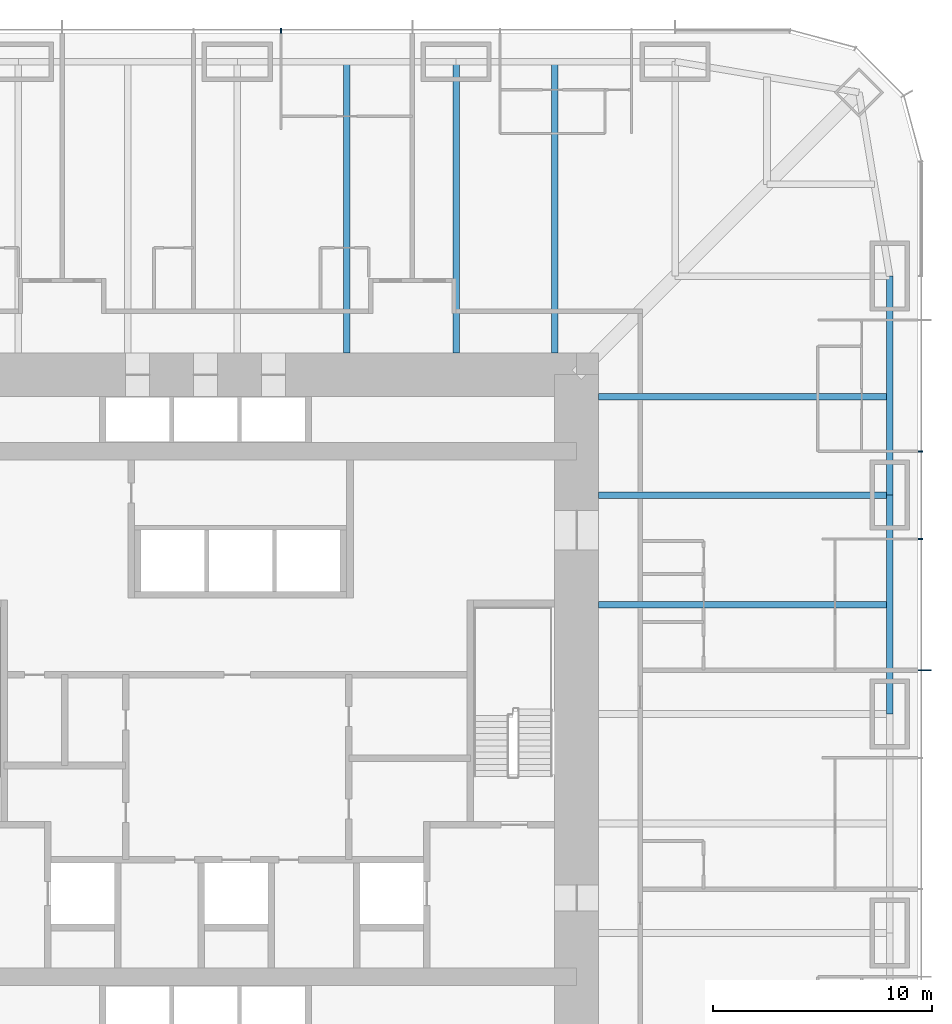
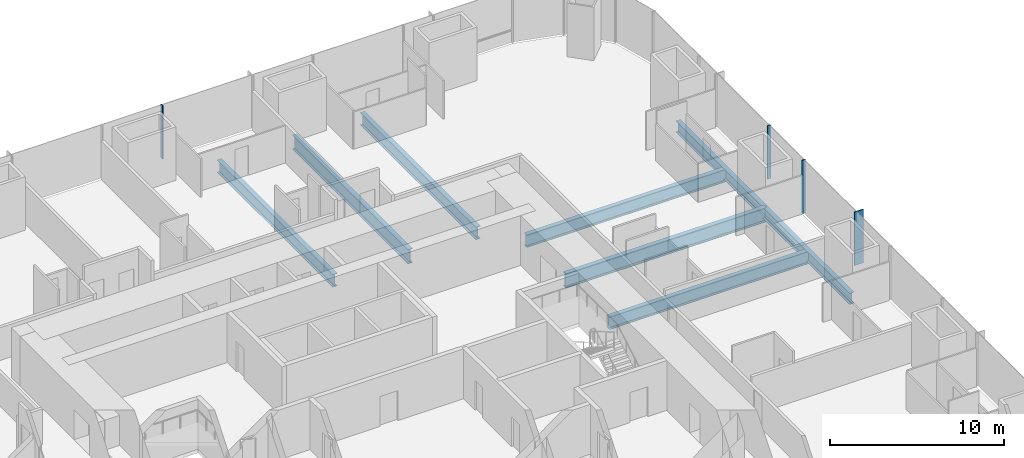
# One storey, part 8 of 17: 8 beams, 4 members, 2 elements without a shape of their own.
"""IFC4 building model written with IfcOpenShell, lengths in metres."""

import ifcopenshell
import ifcopenshell.guid

model = None  # the IFC model being written
_history = None  # IfcOwnerHistory: only IFC2X3 demands one
_inside = {}  # id of a spatial element -> (the spatial element, [elements in it])
_under = {}  # id of a project, library or spatial element -> (it, [spatial elements below it])
_declared = {}  # id of a project -> (the project, [libraries it declares])
_typed = {}  # id of a type object -> (the type object, [elements of that type])
_made_of = {}  # id of a material, layer set ... -> (it, [elements and type objects made of it])


def new_model(schema):
    """Start an empty IFC model of exactly this schema.

    Asked for "IFC4X3", IfcOpenShell would pick the latest addendum, in which some entities
    have other attributes; the version numbers below select the first issue.
    IFC2X3 requires an IfcOwnerHistory on every rooted entity: one is made here for all.
    """
    global model, _history
    if schema == "IFC4X3":
        model = ifcopenshell.file(schema_version=(4, 3, 0, 0))
    else:
        model = ifcopenshell.file(schema=schema)
    _inside.clear()
    _under.clear()
    _declared.clear()
    _typed.clear()
    _made_of.clear()
    _history = None
    if model.schema == "IFC2X3":
        org = make("IfcOrganization", Name="unknown")
        user = make(
            "IfcPersonAndOrganization",
            ThePerson=make("IfcPerson", FamilyName="unknown"),
            TheOrganization=org,
        )
        app = make(
            "IfcApplication",
            ApplicationDeveloper=org,
            Version="unknown",
            ApplicationFullName="unknown",
            ApplicationIdentifier="unknown",
        )
        _history = make(
            "IfcOwnerHistory",
            OwningUser=user,
            OwningApplication=app,
            ChangeAction="ADDED",
            CreationDate=0,
        )
    return model


def make(cls, **values):
    """One entity of the class cls with the attributes given. An attribute that is None is left unset."""
    return model.create_entity(
        cls, **{name: value for name, value in values.items() if value is not None}
    )


def rooted(cls, **values):
    """An entity with a GlobalId (a new one), such as an element, a storey or a relation."""
    return make(cls, GlobalId=ifcopenshell.guid.new(), OwnerHistory=_history, **values)


def si_unit(unit_type, name, prefix=None):
    """IfcSIUnit, for example si_unit("LENGTHUNIT", "METRE", prefix="MILLI")."""
    return make("IfcSIUnit", UnitType=unit_type, Prefix=prefix, Name=name)


def assignment(units):
    """IfcUnitAssignment: the units of a project."""
    return None if units is None else make("IfcUnitAssignment", Units=units)


def point(xyz):
    """IfcCartesianPoint."""
    return None if xyz is None else make("IfcCartesianPoint", Coordinates=xyz)


def direction(xyz):
    """IfcDirection."""
    return None if xyz is None else make("IfcDirection", DirectionRatios=xyz)


def frame(location, z_axis=None, x_axis=None):
    """IfcAxis2Placement3D, a coordinate frame: its origin and axes. An axis left out is left unset."""
    return make(
        "IfcAxis2Placement3D",
        Location=point(location),
        Axis=direction(z_axis),
        RefDirection=direction(x_axis),
    )


def frame_2d(location, x_axis=None):
    """IfcAxis2Placement2D, a coordinate frame in the plane: its origin and x axis."""
    return make(
        "IfcAxis2Placement2D", Location=point(location), RefDirection=direction(x_axis)
    )


def origin():
    """The frame at (0, 0, 0) with its axes left unset."""
    return frame((0.0, 0.0, 0.0))


def origin_2d():
    """The frame at (0, 0) in the plane with its x axis left unset."""
    return frame_2d((0.0, 0.0))


def place(relative_to, where):
    """IfcLocalPlacement: puts the frame where relative to a parent placement (None: the world)."""
    return make(
        "IfcLocalPlacement", PlacementRelTo=relative_to, RelativePlacement=where
    )


def context(
    kind, dimensions, precision=None, world=None, true_north=None, identifier=None
):
    """IfcGeometricRepresentationContext, for example the 3D "Model" context."""
    return make(
        "IfcGeometricRepresentationContext",
        ContextIdentifier=identifier,
        ContextType=kind,
        CoordinateSpaceDimension=dimensions,
        Precision=precision,
        WorldCoordinateSystem=world,
        TrueNorth=true_north,
    )


def subcontext(parent, identifier, kind, view, scale=None):
    """IfcGeometricRepresentationSubContext, for example "Body" below "Model"."""
    return make(
        "IfcGeometricRepresentationSubContext",
        ContextIdentifier=identifier,
        ContextType=kind,
        ParentContext=parent,
        TargetScale=scale,
        TargetView=view,
    )


def project(units=None, contexts=None):
    """IfcProject with its units and contexts."""
    return rooted(
        "IfcProject",
        Name="project",
        RepresentationContexts=contexts,
        UnitsInContext=assignment(units),
    )


def spatial(cls, under=None, at=None, **own):
    """A site, building, storey or space (cls), placed at a placement, below another one or the project."""
    s = rooted(cls, ObjectPlacement=at, **own)
    if under is not None:
        _under.setdefault(under.id(), (under, []))[1].append(s)
    return s


def profile(cls, at=None, kind="AREA", **sizes):
    """A parametric profile (cls). Its sizes go by their IFC names, for example OverallWidth=200.0."""
    return make(cls, ProfileType=kind, Position=at, **sizes)


def rectangle(**sizes):
    """IfcRectangleProfileDef."""
    return profile("IfcRectangleProfileDef", **sizes)


def i_section(**sizes):
    """IfcIShapeProfileDef."""
    return profile("IfcIShapeProfileDef", **sizes)


def extrude(swept, where, along, depth):
    """IfcExtrudedAreaSolid: the profile swept, set in the frame where, extruded along a direction by depth."""
    return make(
        "IfcExtrudedAreaSolid",
        SweptArea=swept,
        Position=where,
        ExtrudedDirection=direction(along),
        Depth=depth,
    )


def shape(context_of_items, identifier, shape_type, items):
    """IfcShapeRepresentation: the items that make up one representation, for example the "Body"."""
    return make(
        "IfcShapeRepresentation",
        ContextOfItems=context_of_items,
        RepresentationIdentifier=identifier,
        RepresentationType=shape_type,
        Items=items,
    )


def material(Name=None, Category=None):
    """IfcMaterial."""
    return make("IfcMaterial", Name=Name, Category=Category)


def material_profile(
    of_material, cross_section, Name=None, Category=None, Priority=None
):
    """IfcMaterialProfile: a cross section and its material."""
    return make(
        "IfcMaterialProfile",
        Name=Name,
        Material=of_material,
        Profile=cross_section,
        Priority=Priority,
        Category=Category,
    )


def profile_set(profiles, Name=None, composite=None):
    """IfcMaterialProfileSet."""
    return make(
        "IfcMaterialProfileSet",
        Name=Name,
        MaterialProfiles=profiles,
        CompositeProfile=composite,
    )


def made_of(thing, what):
    """Note that an element or type object is made of a material, layer set ...; save() writes the relation."""
    if what is not None:
        _made_of.setdefault(what.id(), (what, []))[1].append(thing)
    return thing


def type_object(cls, material=None, **own):
    """A type object (cls), such as IfcWallType, which elements share."""
    return made_of(rooted(cls, **own), material)


def element(
    cls,
    number,
    at=None,
    inside=None,
    cuts=None,
    type_object=None,
    material=None,
    context=None,
    identifier="Body",
    shape_type=None,
    held_by="IfcProductDefinitionShape",
    body=None,
    shapes=None,
    **own,
):
    """One element of the class cls, such as IfcWall. Its Tag is "e" and its number.

    at: its placement. inside: the storey or other place that contains it. cuts: it is an
    opening in that element (IfcRelVoidsElement). A single representation is given by context,
    identifier, shape_type and body (its items); several are given by shapes. held_by: the class
    of the entity that holds the representations. save() writes the other relations.
    """
    e = rooted(cls, Tag="e%d" % number, ObjectPlacement=at, **own)
    if body is not None:
        shapes = [shape(context, identifier, shape_type, body)]
    if shapes is not None:
        e.Representation = make(held_by, Representations=shapes)
    if inside is not None:
        _inside.setdefault(inside.id(), (inside, []))[1].append(e)
    if cuts is not None:
        rooted(
            "IfcRelVoidsElement", RelatingBuildingElement=cuts, RelatedOpeningElement=e
        )
    if type_object is not None:
        _typed.setdefault(type_object.id(), (type_object, []))[1].append(e)
    return made_of(e, material)


def aggregate(whole, parts):
    """IfcRelAggregates: a whole, such as a stair, and the parts it consists of."""
    return rooted("IfcRelAggregates", RelatingObject=whole, RelatedObjects=parts)


def save(model, path):
    """Write the relations noted so far, then the file.

    IfcRelAggregates (storeys below a building ...), IfcRelContainedInSpatialStructure (elements
    in a storey), IfcRelDefinesByType, IfcRelAssociatesMaterial and IfcRelDeclares: one each for
    every whole, place, type object, material and project.
    """
    for whole, parts in _under.values():
        aggregate(whole, parts)
    for where, things in _inside.values():
        rooted(
            "IfcRelContainedInSpatialStructure",
            RelatedElements=things,
            RelatingStructure=where,
        )
    for kind, things in _typed.values():
        rooted("IfcRelDefinesByType", RelatedObjects=things, RelatingType=kind)
    for what, things in _made_of.values():
        rooted("IfcRelAssociatesMaterial", RelatedObjects=things, RelatingMaterial=what)
    for by, libraries in _declared.values():
        rooted("IfcRelDeclares", RelatingContext=by, RelatedDefinitions=libraries)
    model.write(path)


model = new_model("IFC4")

# Units and contexts
model_context = context("Model", 3, precision=1e-05, world=origin(), true_north=direction((0.0, 1.0)))
body_context = subcontext(model_context, "Body", "Model", "MODEL_VIEW")
ifc_project = project(units=[si_unit("LENGTHUNIT", "METRE"), si_unit("AREAUNIT", "SQUARE_METRE"), si_unit("VOLUMEUNIT", "CUBIC_METRE"), si_unit("PLANEANGLEUNIT", "RADIAN"), si_unit("MASSUNIT", "GRAM", prefix="KILO")], contexts=[model_context])

# Site, building, storey
site_placement = place(None, origin())
site = spatial("IfcSite", under=ifc_project, at=site_placement, CompositionType="ELEMENT")
building_placement = place(site_placement, origin())
building = spatial("IfcBuilding", under=site, at=building_placement, Name="Khuree Lantern Residences", CompositionType="ELEMENT")
storey_placement = place(building_placement, frame((0.0, 0.0, 73.5)))
storey = spatial("IfcBuildingStorey", under=building, at=storey_placement, Name="L18", CompositionType="ELEMENT", Elevation=73.5)

# Beams
ifc_material_1 = material(Name="Steel S355", Category="steel")
ifc_material_profile_1 = material_profile(ifc_material_1, i_section(OverallWidth=0.300048828125, OverallDepth=0.889892578125, WebThickness=0.01611328125, FlangeThickness=0.030029296875, FilletRadius=0.030029296875, at=origin_2d()), Name="HE 900 A")
ifc_profile_set_1 = profile_set([ifc_material_profile_1], Name="Steel S355")
beam_type_1 = type_object("IfcBeamType", Name="B-14 SECONDARY BEAM HE 900 A", PredefinedType="BEAM", material=ifc_profile_set_1)
for number, where, z_axis, x_axis, name in (
    (1, (5.0, 29.800048828125, -0.695068359375), (0.0, -1.0, 0.0), (1.0, 0.0, 0.0), "Secondary beam N3"),
    (2, (14.5, 29.800048828125, -0.695068359375), (0.0, -1.0, 0.0), (1.0, 0.0, 0.0), "Secondary beam N4"),
    (3, (29.800048828125, 14.5, -0.695068359375), (-1.0, 0.0, 0.0), (0.0, -1.0, 0.0), "Secondary beam E2"),
    (4, (29.800048828125, 5.0, -0.695068359375), (-1.0, 0.0, 0.0), (0.0, -1.0, 0.0), "Secondary beam E3"),
):
    element("IfcBeam", number, at=place(storey_placement, frame(where, z_axis=z_axis, x_axis=x_axis)), inside=storey, type_object=beam_type_1, Name=name, PredefinedType="BEAM", context=body_context, shape_type="SweptSolid", body=[
        extrude(i_section(OverallWidth=0.300048828125, OverallDepth=0.889892578125, WebThickness=0.01611328125, FlangeThickness=0.030029296875, FilletRadius=0.030029296875, at=origin_2d()), origin(), (0.0, 0.0, 1.0), 13.300048828125),
    ])
ifc_material_profile_2 = material_profile(ifc_material_1, i_section(OverallWidth=0.300048828125, OverallDepth=0.7900390625, WebThickness=0.014892578125, FlangeThickness=0.028076171875, FilletRadius=0.030029296875, at=origin_2d()), Name="HE 800 A")
ifc_profile_set_2 = profile_set([ifc_material_profile_2], Name="Steel S355")
beam_type_2 = type_object("IfcBeamType", Name="E-14 SPANDREL BEAM HE 800 A", PredefinedType="SPANDREL", material=ifc_profile_set_2)
for number, where, z_axis, x_axis, name in (
    (5, (29.800048828125, 20.0, -0.64501953125), (0.0, -1.0, 0.0), (1.0, 0.0, 0.0), "Spandrel beam E2"),
    (6, (29.800048828125, 10.0, -0.64501953125), (0.0, -1.0, 0.0), (1.0, 0.0, 0.0), "Spandrel beam E3"),
):
    element("IfcBeam", number, at=place(storey_placement, frame(where, z_axis=z_axis, x_axis=x_axis)), inside=storey, type_object=beam_type_2, Name=name, PredefinedType="SPANDREL", context=body_context, shape_type="SweptSolid", body=[
        extrude(i_section(OverallWidth=0.300048828125, OverallDepth=0.7900390625, WebThickness=0.014892578125, FlangeThickness=0.028076171875, FilletRadius=0.030029296875, at=origin_2d()), origin(), (0.0, 0.0, 1.0), 10.0),
    ])

# Curtain wall, member
ifc_material_2 = material(Name="Bronze anodised aluminium", Category="aluminium")
curtain_wall_type = type_object("IfcCurtainWallType", Name="CW-T1 TOWER FACE CURTAIN WALL", PredefinedType="USERDEFINED", material=ifc_material_2)
curtain_wall_1_placement = place(storey_placement, origin())
curtain_wall_1 = element("IfcCurtainWall", 7, at=curtain_wall_1_placement, inside=storey, type_object=curtain_wall_type, Name="L18 EAST FACE CURTAIN WALL", ObjectType="Stick-built curtain wall", PredefinedType="USERDEFINED")
ifc_material_profile_3 = material_profile(ifc_material_2, rectangle(XDim=0.06494140625, YDim=0.60009765625, at=origin_2d()), Name="F1 65X600")
ifc_profile_set_3 = profile_set([ifc_material_profile_3], Name="Bronze anodised aluminium")
member_type_1 = type_object("IfcMemberType", Name="F1 BRONZE FIN MULLION TOWER 65X600", PredefinedType="MULLION", material=ifc_profile_set_3)
member_1_placement = place(storey_placement, frame((31.39990234375, 2.0, 0.0), z_axis=(0.0, 0.0, 1.0), x_axis=(0.0, 1.0, 0.0)))
member_1 = element("IfcMember", 8, at=member_1_placement, type_object=member_type_1, Name="L18 EAST FACE FIN MULLION 10", PredefinedType="MULLION", context=body_context, shape_type="SweptSolid", body=[
    extrude(rectangle(XDim=0.06494140625, YDim=0.60009765625, at=origin_2d()), origin(), (0.0, 0.0, 1.0), 3.75),
])

# Beams
ifc_material_profile_4 = material_profile(ifc_material_1, i_section(OverallWidth=0.302001953125, OverallDepth=1.008056640625, WebThickness=0.02099609375, FlangeThickness=0.0400390625, FilletRadius=0.030029296875, at=origin_2d()), Name="HE 1000 M")
ifc_profile_set_4 = profile_set([ifc_material_profile_4], Name="Steel S355")
beam_type_3 = type_object("IfcBeamType", Name="G-14 GIRDER HE 1000 M", PredefinedType="BEAM", material=ifc_profile_set_4)
for number, where, z_axis, x_axis, name in (
    (9, (10.0, 29.800048828125, -0.75390625), (0.0, -1.0, 0.0), (1.0, 0.0, 0.0), "Girder N4"),
    (10, (29.800048828125, 10.0, -0.75390625), (-1.0, 0.0, 0.0), (0.0, -1.0, 0.0), "Girder E2"),
):
    element("IfcBeam", number, at=place(storey_placement, frame(where, z_axis=z_axis, x_axis=x_axis)), inside=storey, type_object=beam_type_3, Name=name, PredefinedType="BEAM", context=body_context, shape_type="SweptSolid", body=[
        extrude(i_section(OverallWidth=0.302001953125, OverallDepth=1.008056640625, WebThickness=0.02099609375, FlangeThickness=0.0400390625, FilletRadius=0.030029296875, at=origin_2d()), origin(), (0.0, 0.0, 1.0), 13.300048828125),
    ])

# Member
ifc_material_profile_5 = material_profile(ifc_material_2, rectangle(XDim=0.06494140625, YDim=0.219970703125, at=origin_2d()), Name="M1 65X220")
ifc_profile_set_5 = profile_set([ifc_material_profile_5], Name="Bronze anodised aluminium")
member_type_2 = type_object("IfcMemberType", Name="M1 BRONZE MULLION TOWER 65X220", PredefinedType="MULLION", material=ifc_profile_set_5)
member_2_placement = place(storey_placement, frame((31.2099609375, 8.0, 0.0), z_axis=(0.0, 0.0, 1.0), x_axis=(0.0, 1.0, 0.0)))
member_2 = element("IfcMember", 11, at=member_2_placement, type_object=member_type_2, Name="L18 EAST FACE MULLION 11", PredefinedType="MULLION", context=body_context, shape_type="SweptSolid", body=[
    extrude(rectangle(XDim=0.06494140625, YDim=0.219970703125, at=origin_2d()), origin(), (0.0, 0.0, 1.0), 3.75),
])

member_3_placement = place(storey_placement, frame((31.2099609375, 12.0, 0.0), z_axis=(0.0, 0.0, 1.0), x_axis=(0.0, 1.0, 0.0)))
member_3 = element("IfcMember", 12, at=member_3_placement, type_object=member_type_2, Name="L18 EAST FACE MULLION 12", PredefinedType="MULLION", context=body_context, shape_type="SweptSolid", body=[
    extrude(rectangle(XDim=0.06494140625, YDim=0.219970703125, at=origin_2d()), origin(), (0.0, 0.0, 1.0), 3.75),
])

aggregate(curtain_wall_1, [member_1, member_2, member_3])

# Curtain wall, member
curtain_wall_2_placement = place(storey_placement, origin())
curtain_wall_2 = element("IfcCurtainWall", 13, at=curtain_wall_2_placement, inside=storey, type_object=curtain_wall_type, Name="L18 NORTH FACE CURTAIN WALL", ObjectType="Stick-built curtain wall", PredefinedType="USERDEFINED")
member_4_placement = place(storey_placement, frame((2.0, 31.2099609375, 0.0), z_axis=(0.0, 0.0, 1.0), x_axis=(-1.0, 0.0, 0.0)))
member_4 = element("IfcMember", 14, at=member_4_placement, type_object=member_type_2, Name="L18 NORTH FACE MULLION 23", PredefinedType="MULLION", context=body_context, shape_type="SweptSolid", body=[
    extrude(rectangle(XDim=0.06494140625, YDim=0.219970703125, at=origin_2d()), origin(), (0.0, 0.0, 1.0), 3.75),
])
aggregate(curtain_wall_2, [member_4])

save(model, "model.ifc")
